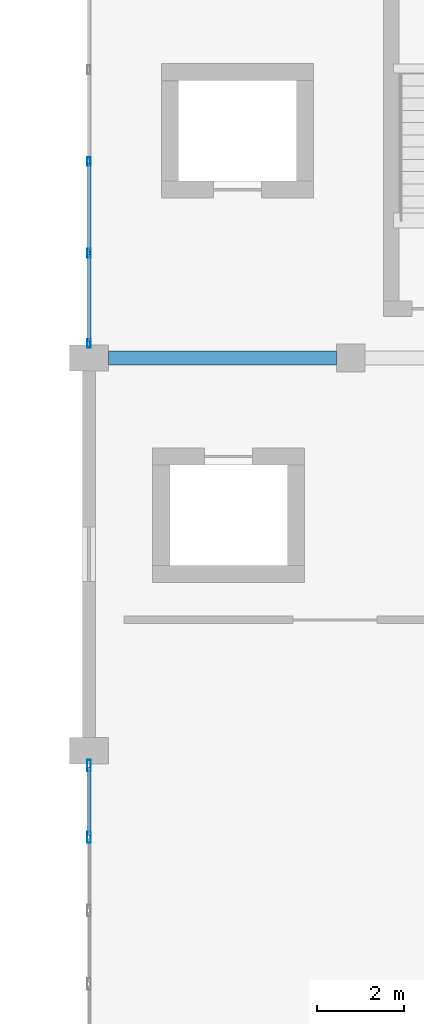
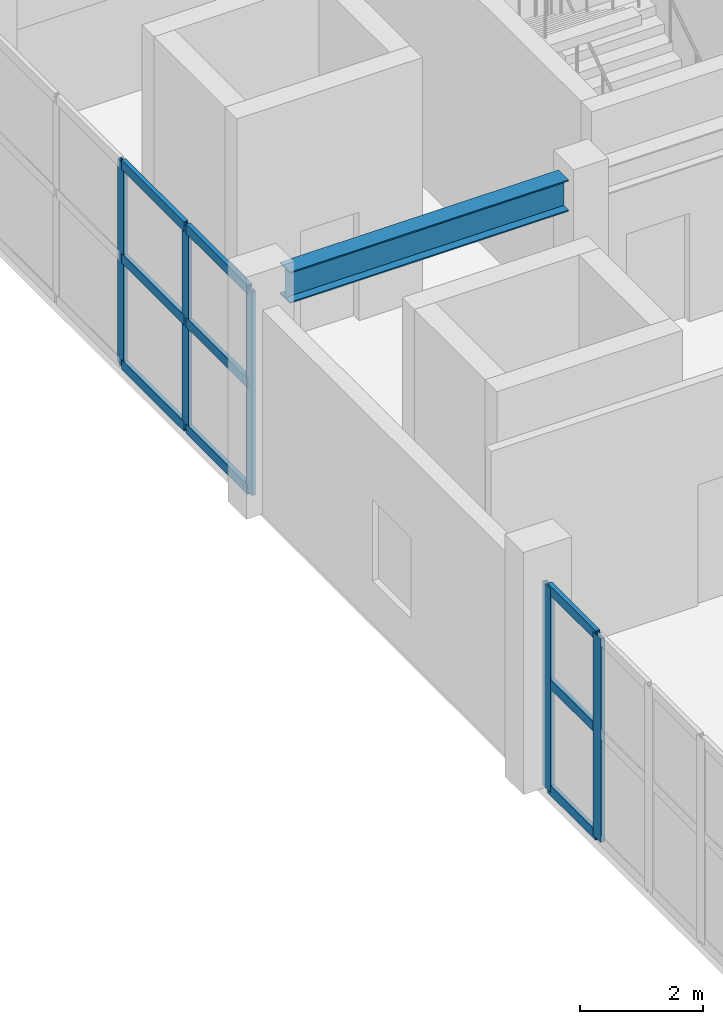
# One storey, part 4 of 62: 14 members, 1 beam, 2 elements without a shape of their own.
"""IFC4 building model written with IfcOpenShell, lengths in metres."""

import ifcopenshell
import ifcopenshell.guid

model = None  # the IFC model being written
_history = None  # IfcOwnerHistory: only IFC2X3 demands one
_inside = {}  # id of a spatial element -> (the spatial element, [elements in it])
_under = {}  # id of a project, library or spatial element -> (it, [spatial elements below it])
_declared = {}  # id of a project -> (the project, [libraries it declares])
_typed = {}  # id of a type object -> (the type object, [elements of that type])
_made_of = {}  # id of a material, layer set ... -> (it, [elements and type objects made of it])


def new_model(schema):
    """Start an empty IFC model of exactly this schema.

    Asked for "IFC4X3", IfcOpenShell would pick the latest addendum, in which some entities
    have other attributes; the version numbers below select the first issue.
    IFC2X3 requires an IfcOwnerHistory on every rooted entity: one is made here for all.
    """
    global model, _history
    if schema == "IFC4X3":
        model = ifcopenshell.file(schema_version=(4, 3, 0, 0))
    else:
        model = ifcopenshell.file(schema=schema)
    _inside.clear()
    _under.clear()
    _declared.clear()
    _typed.clear()
    _made_of.clear()
    _history = None
    if model.schema == "IFC2X3":
        org = make("IfcOrganization", Name="unknown")
        user = make(
            "IfcPersonAndOrganization",
            ThePerson=make("IfcPerson", FamilyName="unknown"),
            TheOrganization=org,
        )
        app = make(
            "IfcApplication",
            ApplicationDeveloper=org,
            Version="unknown",
            ApplicationFullName="unknown",
            ApplicationIdentifier="unknown",
        )
        _history = make(
            "IfcOwnerHistory",
            OwningUser=user,
            OwningApplication=app,
            ChangeAction="ADDED",
            CreationDate=0,
        )
    return model


def make(cls, **values):
    """One entity of the class cls with the attributes given. An attribute that is None is left unset."""
    return model.create_entity(
        cls, **{name: value for name, value in values.items() if value is not None}
    )


def rooted(cls, **values):
    """An entity with a GlobalId (a new one), such as an element, a storey or a relation."""
    return make(cls, GlobalId=ifcopenshell.guid.new(), OwnerHistory=_history, **values)


def si_unit(unit_type, name, prefix=None):
    """IfcSIUnit, for example si_unit("LENGTHUNIT", "METRE", prefix="MILLI")."""
    return make("IfcSIUnit", UnitType=unit_type, Prefix=prefix, Name=name)


def assignment(units):
    """IfcUnitAssignment: the units of a project."""
    return None if units is None else make("IfcUnitAssignment", Units=units)


def point(xyz):
    """IfcCartesianPoint."""
    return None if xyz is None else make("IfcCartesianPoint", Coordinates=xyz)


def direction(xyz):
    """IfcDirection."""
    return None if xyz is None else make("IfcDirection", DirectionRatios=xyz)


def frame(location, z_axis=None, x_axis=None):
    """IfcAxis2Placement3D, a coordinate frame: its origin and axes. An axis left out is left unset."""
    return make(
        "IfcAxis2Placement3D",
        Location=point(location),
        Axis=direction(z_axis),
        RefDirection=direction(x_axis),
    )


def frame_2d(location, x_axis=None):
    """IfcAxis2Placement2D, a coordinate frame in the plane: its origin and x axis."""
    return make(
        "IfcAxis2Placement2D", Location=point(location), RefDirection=direction(x_axis)
    )


def origin():
    """The frame at (0, 0, 0) with its axes left unset."""
    return frame((0.0, 0.0, 0.0))


def origin_2d():
    """The frame at (0, 0) in the plane with its x axis left unset."""
    return frame_2d((0.0, 0.0))


def place(relative_to, where):
    """IfcLocalPlacement: puts the frame where relative to a parent placement (None: the world)."""
    return make(
        "IfcLocalPlacement", PlacementRelTo=relative_to, RelativePlacement=where
    )


def context(
    kind, dimensions, precision=None, world=None, true_north=None, identifier=None
):
    """IfcGeometricRepresentationContext, for example the 3D "Model" context."""
    return make(
        "IfcGeometricRepresentationContext",
        ContextIdentifier=identifier,
        ContextType=kind,
        CoordinateSpaceDimension=dimensions,
        Precision=precision,
        WorldCoordinateSystem=world,
        TrueNorth=true_north,
    )


def subcontext(parent, identifier, kind, view, scale=None):
    """IfcGeometricRepresentationSubContext, for example "Body" below "Model"."""
    return make(
        "IfcGeometricRepresentationSubContext",
        ContextIdentifier=identifier,
        ContextType=kind,
        ParentContext=parent,
        TargetScale=scale,
        TargetView=view,
    )


def project(units=None, contexts=None):
    """IfcProject with its units and contexts."""
    return rooted(
        "IfcProject",
        Name="project",
        RepresentationContexts=contexts,
        UnitsInContext=assignment(units),
    )


def spatial(cls, under=None, at=None, **own):
    """A site, building, storey or space (cls), placed at a placement, below another one or the project."""
    s = rooted(cls, ObjectPlacement=at, **own)
    if under is not None:
        _under.setdefault(under.id(), (under, []))[1].append(s)
    return s


def profile(cls, at=None, kind="AREA", **sizes):
    """A parametric profile (cls). Its sizes go by their IFC names, for example OverallWidth=200.0."""
    return make(cls, ProfileType=kind, Position=at, **sizes)


def hollow_rectangle(**sizes):
    """IfcRectangleHollowProfileDef."""
    return profile("IfcRectangleHollowProfileDef", **sizes)


def i_section(**sizes):
    """IfcIShapeProfileDef."""
    return profile("IfcIShapeProfileDef", **sizes)


def extrude(swept, where, along, depth):
    """IfcExtrudedAreaSolid: the profile swept, set in the frame where, extruded along a direction by depth."""
    return make(
        "IfcExtrudedAreaSolid",
        SweptArea=swept,
        Position=where,
        ExtrudedDirection=direction(along),
        Depth=depth,
    )


def shape(context_of_items, identifier, shape_type, items):
    """IfcShapeRepresentation: the items that make up one representation, for example the "Body"."""
    return make(
        "IfcShapeRepresentation",
        ContextOfItems=context_of_items,
        RepresentationIdentifier=identifier,
        RepresentationType=shape_type,
        Items=items,
    )


def material(Name=None, Category=None):
    """IfcMaterial."""
    return make("IfcMaterial", Name=Name, Category=Category)


def layer(
    of_material, thickness, ventilated=None, Name=None, Category=None, Priority=None
):
    """IfcMaterialLayer: one layer of a wall or slab, of a material (None: an air gap)."""
    return make(
        "IfcMaterialLayer",
        Material=of_material,
        LayerThickness=thickness,
        IsVentilated=ventilated,
        Name=Name,
        Category=Category,
        Priority=Priority,
    )


def layer_set(layers, Name=None):
    """IfcMaterialLayerSet."""
    return make("IfcMaterialLayerSet", MaterialLayers=layers, LayerSetName=Name)


def material_profile(
    of_material, cross_section, Name=None, Category=None, Priority=None
):
    """IfcMaterialProfile: a cross section and its material."""
    return make(
        "IfcMaterialProfile",
        Name=Name,
        Material=of_material,
        Profile=cross_section,
        Priority=Priority,
        Category=Category,
    )


def profile_set(profiles, Name=None, composite=None):
    """IfcMaterialProfileSet."""
    return make(
        "IfcMaterialProfileSet",
        Name=Name,
        MaterialProfiles=profiles,
        CompositeProfile=composite,
    )


def made_of(thing, what):
    """Note that an element or type object is made of a material, layer set ...; save() writes the relation."""
    if what is not None:
        _made_of.setdefault(what.id(), (what, []))[1].append(thing)
    return thing


def type_object(cls, material=None, **own):
    """A type object (cls), such as IfcWallType, which elements share."""
    return made_of(rooted(cls, **own), material)


def element(
    cls,
    number,
    at=None,
    inside=None,
    cuts=None,
    type_object=None,
    material=None,
    context=None,
    identifier="Body",
    shape_type=None,
    held_by="IfcProductDefinitionShape",
    body=None,
    shapes=None,
    **own,
):
    """One element of the class cls, such as IfcWall. Its Tag is "e" and its number.

    at: its placement. inside: the storey or other place that contains it. cuts: it is an
    opening in that element (IfcRelVoidsElement). A single representation is given by context,
    identifier, shape_type and body (its items); several are given by shapes. held_by: the class
    of the entity that holds the representations. save() writes the other relations.
    """
    e = rooted(cls, Tag="e%d" % number, ObjectPlacement=at, **own)
    if body is not None:
        shapes = [shape(context, identifier, shape_type, body)]
    if shapes is not None:
        e.Representation = make(held_by, Representations=shapes)
    if inside is not None:
        _inside.setdefault(inside.id(), (inside, []))[1].append(e)
    if cuts is not None:
        rooted(
            "IfcRelVoidsElement", RelatingBuildingElement=cuts, RelatedOpeningElement=e
        )
    if type_object is not None:
        _typed.setdefault(type_object.id(), (type_object, []))[1].append(e)
    return made_of(e, material)


def aggregate(whole, parts):
    """IfcRelAggregates: a whole, such as a stair, and the parts it consists of."""
    return rooted("IfcRelAggregates", RelatingObject=whole, RelatedObjects=parts)


def save(model, path):
    """Write the relations noted so far, then the file.

    IfcRelAggregates (storeys below a building ...), IfcRelContainedInSpatialStructure (elements
    in a storey), IfcRelDefinesByType, IfcRelAssociatesMaterial and IfcRelDeclares: one each for
    every whole, place, type object, material and project.
    """
    for whole, parts in _under.values():
        aggregate(whole, parts)
    for where, things in _inside.values():
        rooted(
            "IfcRelContainedInSpatialStructure",
            RelatedElements=things,
            RelatingStructure=where,
        )
    for kind, things in _typed.values():
        rooted("IfcRelDefinesByType", RelatedObjects=things, RelatingType=kind)
    for what, things in _made_of.values():
        rooted("IfcRelAssociatesMaterial", RelatedObjects=things, RelatingMaterial=what)
    for by, libraries in _declared.values():
        rooted("IfcRelDeclares", RelatingContext=by, RelatedDefinitions=libraries)
    model.write(path)


model = new_model("IFC4")

# Units and contexts
model_context = context("Model", 3, precision=1e-05, world=origin(), true_north=direction((0.0, 1.0)))
body_context = subcontext(model_context, "Body", "Model", "MODEL_VIEW")
ifc_project = project(units=[si_unit("LENGTHUNIT", "METRE"), si_unit("AREAUNIT", "SQUARE_METRE"), si_unit("VOLUMEUNIT", "CUBIC_METRE"), si_unit("PLANEANGLEUNIT", "RADIAN"), si_unit("MASSUNIT", "GRAM", prefix="KILO")], contexts=[model_context])

# Site, building, storey
site_placement = place(None, origin())
site = spatial("IfcSite", under=ifc_project, at=site_placement, CompositionType="ELEMENT")
building_placement = place(site_placement, origin())
building = spatial("IfcBuilding", under=site, at=building_placement, Name="Vaelkrest Opera House", CompositionType="ELEMENT")
storey_placement = place(building_placement, frame((0.0, 0.0, 19.800048828125)))
storey = spatial("IfcBuildingStorey", under=building, at=storey_placement, Name="L04", CompositionType="ELEMENT", Elevation=19.800048828125)

# Beam
ifc_material_1 = material(Name="Steel A992 Gr50", Category="steel")
ifc_material_profile_1 = material_profile(ifc_material_1, i_section(OverallWidth=0.326904296875, OverallDepth=0.6220703125, WebThickness=0.015380859375, FlangeThickness=0.0244140625, at=origin_2d()), Name="W24X131")
ifc_profile_set_1 = profile_set([ifc_material_profile_1], Name="Steel A992 Gr50")
beam_type = type_object("IfcBeamType", Name="B19", PredefinedType="BEAM", material=ifc_profile_set_1)
beam_placement = place(storey_placement, frame((-29.550048828125, -28.800048828125, 4.19384765625), z_axis=(1.0, 0.0, 0.0), x_axis=(0.0, 1.0, 0.0)))
element("IfcBeam", 1, at=beam_placement, inside=storey, type_object=beam_type, Name="Beam BM-V1-L04-0539", PredefinedType="BEAM", context=body_context, shape_type="SweptSolid", body=[
    extrude(i_section(OverallWidth=0.326904296875, OverallDepth=0.6220703125, WebThickness=0.015380859375, FlangeThickness=0.0244140625, at=origin_2d()), origin(), (0.0, 0.0, 1.0), 5.22509765625),
])

# Curtain wall, members
ifc_material_2 = material(Name="Dark bronze anodized aluminium", Category="aluminium")
ifc_layer_1 = layer(ifc_material_2, 0.22998046875)
ifc_layer_set_1 = layer_set([ifc_layer_1], Name="Dark bronze anodized aluminium")
curtain_wall_type_1 = type_object("IfcCurtainWallType", Name="CW06", PredefinedType="NOTDEFINED", material=ifc_layer_set_1)
curtain_wall_1_placement = place(storey_placement, origin())
curtain_wall_1 = element("IfcCurtainWall", 2, at=curtain_wall_1_placement, inside=storey, type_object=curtain_wall_type_1, Name="Curtain wall CW-L04-061", PredefinedType="NOTDEFINED")
ifc_material_profile_2 = material_profile(ifc_material_2, hollow_rectangle(XDim=0.070068359375, YDim=0.199951171875, WallThickness=0.004150390625, at=origin_2d()), Name="CWM70X200")
ifc_profile_set_2 = profile_set([ifc_material_profile_2], Name="Dark bronze anodized aluminium")
member_type_1 = type_object("IfcMemberType", Name="CWM02", PredefinedType="MULLION", material=ifc_profile_set_2)
member_1_placement = place(storey_placement, frame((-30.0, -28.467041015625, 0.0), z_axis=(0.0, 0.0, 1.0), x_axis=(-1.0, 0.0, 0.0)))
member_1 = element("IfcMember", 3, at=member_1_placement, type_object=member_type_1, Name="CW06 mullion 1", PredefinedType="MULLION", context=body_context, shape_type="SweptSolid", body=[
    extrude(hollow_rectangle(XDim=0.070068359375, YDim=0.199951171875, WallThickness=0.004150390625, at=origin_2d()), origin(), (0.0, 0.0, 1.0), 4.04296875),
])
member_2_placement = place(storey_placement, frame((-30.0, -26.40087890625, 0.0), z_axis=(0.0, 0.0, 1.0), x_axis=(-1.0, 0.0, 0.0)))
member_2 = element("IfcMember", 4, at=member_2_placement, type_object=member_type_1, Name="CW06 mullion 2", PredefinedType="MULLION", context=body_context, shape_type="SweptSolid", body=[
    extrude(hollow_rectangle(XDim=0.070068359375, YDim=0.199951171875, WallThickness=0.004150390625, at=origin_2d()), origin(), (0.0, 0.0, 1.0), 4.04296875),
])
member_3_placement = place(storey_placement, frame((-30.0, -24.300048828125, 0.0), z_axis=(0.0, 0.0, 1.0), x_axis=(-1.0, 0.0, 0.0)))
member_3 = element("IfcMember", 5, at=member_3_placement, type_object=member_type_1, Name="CW06 mullion 3", PredefinedType="MULLION", context=body_context, shape_type="SweptSolid", body=[
    extrude(hollow_rectangle(XDim=0.070068359375, YDim=0.199951171875, WallThickness=0.004150390625, at=origin_2d()), origin(), (0.0, 0.0, 1.0), 4.04296875),
])

ifc_layer_2 = layer(ifc_material_2, 0.2099609375)
ifc_layer_set_2 = layer_set([ifc_layer_2], Name="Dark bronze anodized aluminium")
curtain_wall_type_2 = type_object("IfcCurtainWallType", Name="CW04", PredefinedType="NOTDEFINED", material=ifc_layer_set_2)
curtain_wall_2_placement = place(storey_placement, origin())
curtain_wall_2 = element("IfcCurtainWall", 6, at=curtain_wall_2_placement, inside=storey, type_object=curtain_wall_type_2, Name="Curtain wall CW-L04-060", PredefinedType="NOTDEFINED")
ifc_material_profile_3 = material_profile(ifc_material_2, hollow_rectangle(XDim=0.080078125, YDim=0.260009765625, WallThickness=0.0048828125, at=origin_2d()), Name="CWM80X260")
ifc_profile_set_3 = profile_set([ifc_material_profile_3], Name="Dark bronze anodized aluminium")
member_type_2 = type_object("IfcMemberType", Name="CWM04", PredefinedType="MULLION", material=ifc_profile_set_3)
member_4_placement = place(storey_placement, frame((-30.0, -39.77880859375, 0.0), z_axis=(0.0, 0.0, 1.0), x_axis=(-1.0, 0.0, 0.0)))
member_4 = element("IfcMember", 7, at=member_4_placement, type_object=member_type_2, Name="CW04 mullion 5", PredefinedType="MULLION", context=body_context, shape_type="SweptSolid", body=[
    extrude(hollow_rectangle(XDim=0.080078125, YDim=0.260009765625, WallThickness=0.0048828125, at=origin_2d()), origin(), (0.0, 0.0, 1.0), 4.04296875),
])
member_5_placement = place(storey_placement, frame((-30.0, -38.137939453125, 0.0), z_axis=(0.0, 0.0, 1.0), x_axis=(-1.0, 0.0, 0.0)))
member_5 = element("IfcMember", 8, at=member_5_placement, type_object=member_type_2, Name="CW04 mullion 6", PredefinedType="MULLION", context=body_context, shape_type="SweptSolid", body=[
    extrude(hollow_rectangle(XDim=0.080078125, YDim=0.260009765625, WallThickness=0.0048828125, at=origin_2d()), origin(), (0.0, 0.0, 1.0), 4.04296875),
])
ifc_material_profile_4 = material_profile(ifc_material_2, hollow_rectangle(XDim=0.080078125, YDim=0.18994140625, WallThickness=0.0048828125, at=origin_2d()), Name="CWT80X190")
ifc_profile_set_4 = profile_set([ifc_material_profile_4], Name="Dark bronze anodized aluminium")
member_type_3 = type_object("IfcMemberType", Name="CWT04", PredefinedType="USERDEFINED", material=ifc_profile_set_4)
member_6_placement = place(storey_placement, frame((-30.0, -39.73876953125, 0.0400390625), z_axis=(0.0, 1.0, 0.0), x_axis=(-1.0, 0.0, 0.0)))
member_6 = element("IfcMember", 9, at=member_6_placement, type_object=member_type_3, Name="CW04 transom 5.1", ObjectType="TRANSOM", PredefinedType="USERDEFINED", context=body_context, shape_type="SweptSolid", body=[
    extrude(hollow_rectangle(XDim=0.080078125, YDim=0.18994140625, WallThickness=0.0048828125, at=origin_2d()), origin(), (0.0, 0.0, 1.0), 1.560791015625),
])
member_7_placement = place(storey_placement, frame((-30.0, -39.73876953125, 2.14990234375), z_axis=(0.0, 1.0, 0.0), x_axis=(-1.0, 0.0, 0.0)))
member_7 = element("IfcMember", 10, at=member_7_placement, type_object=member_type_3, Name="CW04 transom 5.2", ObjectType="TRANSOM", PredefinedType="USERDEFINED", context=body_context, shape_type="SweptSolid", body=[
    extrude(hollow_rectangle(XDim=0.080078125, YDim=0.18994140625, WallThickness=0.0048828125, at=origin_2d()), origin(), (0.0, 0.0, 1.0), 1.560791015625),
])
member_8_placement = place(storey_placement, frame((-30.0, -39.73876953125, 4.0029296875), z_axis=(0.0, 1.0, 0.0), x_axis=(-1.0, 0.0, 0.0)))
member_8 = element("IfcMember", 11, at=member_8_placement, type_object=member_type_3, Name="CW04 transom 5.3", ObjectType="TRANSOM", PredefinedType="USERDEFINED", context=body_context, shape_type="SweptSolid", body=[
    extrude(hollow_rectangle(XDim=0.080078125, YDim=0.18994140625, WallThickness=0.0048828125, at=origin_2d()), origin(), (0.0, 0.0, 1.0), 1.560791015625),
])
aggregate(curtain_wall_2, [member_4, member_5, member_6, member_7, member_8])

# Member
member_9_placement = place(storey_placement, frame((-30.0, -28.431884765625, 0.0400390625), z_axis=(0.0, 1.0, 0.0), x_axis=(-1.0, 0.0, 0.0)))
member_9 = element("IfcMember", 12, at=member_9_placement, type_object=member_type_3, Name="CW06 transom 1.1", ObjectType="TRANSOM", PredefinedType="USERDEFINED", context=body_context, shape_type="SweptSolid", body=[
    extrude(hollow_rectangle(XDim=0.080078125, YDim=0.18994140625, WallThickness=0.0048828125, at=origin_2d()), origin(), (0.0, 0.0, 1.0), 1.995849609375),
])

member_10_placement = place(storey_placement, frame((-30.0, -28.431884765625, 2.14990234375), z_axis=(0.0, 1.0, 0.0), x_axis=(-1.0, 0.0, 0.0)))
member_10 = element("IfcMember", 13, at=member_10_placement, type_object=member_type_3, Name="CW06 transom 1.2", ObjectType="TRANSOM", PredefinedType="USERDEFINED", context=body_context, shape_type="SweptSolid", body=[
    extrude(hollow_rectangle(XDim=0.080078125, YDim=0.18994140625, WallThickness=0.0048828125, at=origin_2d()), origin(), (0.0, 0.0, 1.0), 1.995849609375),
])

member_11_placement = place(storey_placement, frame((-30.0, -28.431884765625, 4.0029296875), z_axis=(0.0, 1.0, 0.0), x_axis=(-1.0, 0.0, 0.0)))
member_11 = element("IfcMember", 14, at=member_11_placement, type_object=member_type_3, Name="CW06 transom 1.3", ObjectType="TRANSOM", PredefinedType="USERDEFINED", context=body_context, shape_type="SweptSolid", body=[
    extrude(hollow_rectangle(XDim=0.080078125, YDim=0.18994140625, WallThickness=0.0048828125, at=origin_2d()), origin(), (0.0, 0.0, 1.0), 1.995849609375),
])

member_12_placement = place(storey_placement, frame((-30.0, -26.365966796875, 0.0400390625), z_axis=(0.0, 1.0, 0.0), x_axis=(-1.0, 0.0, 0.0)))
member_12 = element("IfcMember", 15, at=member_12_placement, type_object=member_type_3, Name="CW06 transom 2.1", ObjectType="TRANSOM", PredefinedType="USERDEFINED", context=body_context, shape_type="SweptSolid", body=[
    extrude(hollow_rectangle(XDim=0.080078125, YDim=0.18994140625, WallThickness=0.0048828125, at=origin_2d()), origin(), (0.0, 0.0, 1.0), 2.031005859375),
])

member_13_placement = place(storey_placement, frame((-30.0, -26.365966796875, 2.14990234375), z_axis=(0.0, 1.0, 0.0), x_axis=(-1.0, 0.0, 0.0)))
member_13 = element("IfcMember", 16, at=member_13_placement, type_object=member_type_3, Name="CW06 transom 2.2", ObjectType="TRANSOM", PredefinedType="USERDEFINED", context=body_context, shape_type="SweptSolid", body=[
    extrude(hollow_rectangle(XDim=0.080078125, YDim=0.18994140625, WallThickness=0.0048828125, at=origin_2d()), origin(), (0.0, 0.0, 1.0), 2.031005859375),
])

member_14_placement = place(storey_placement, frame((-30.0, -26.365966796875, 4.0029296875), z_axis=(0.0, 1.0, 0.0), x_axis=(-1.0, 0.0, 0.0)))
member_14 = element("IfcMember", 17, at=member_14_placement, type_object=member_type_3, Name="CW06 transom 2.3", ObjectType="TRANSOM", PredefinedType="USERDEFINED", context=body_context, shape_type="SweptSolid", body=[
    extrude(hollow_rectangle(XDim=0.080078125, YDim=0.18994140625, WallThickness=0.0048828125, at=origin_2d()), origin(), (0.0, 0.0, 1.0), 2.031005859375),
])

aggregate(curtain_wall_1, [member_1, member_2, member_3, member_9, member_10, member_11, member_12, member_13, member_14])

save(model, "model.ifc")
